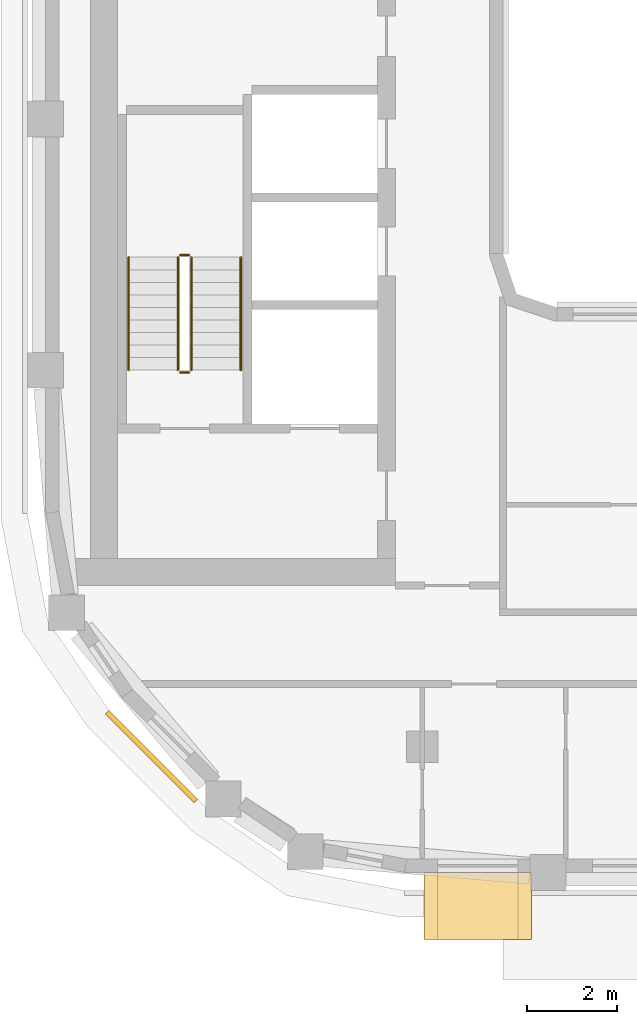
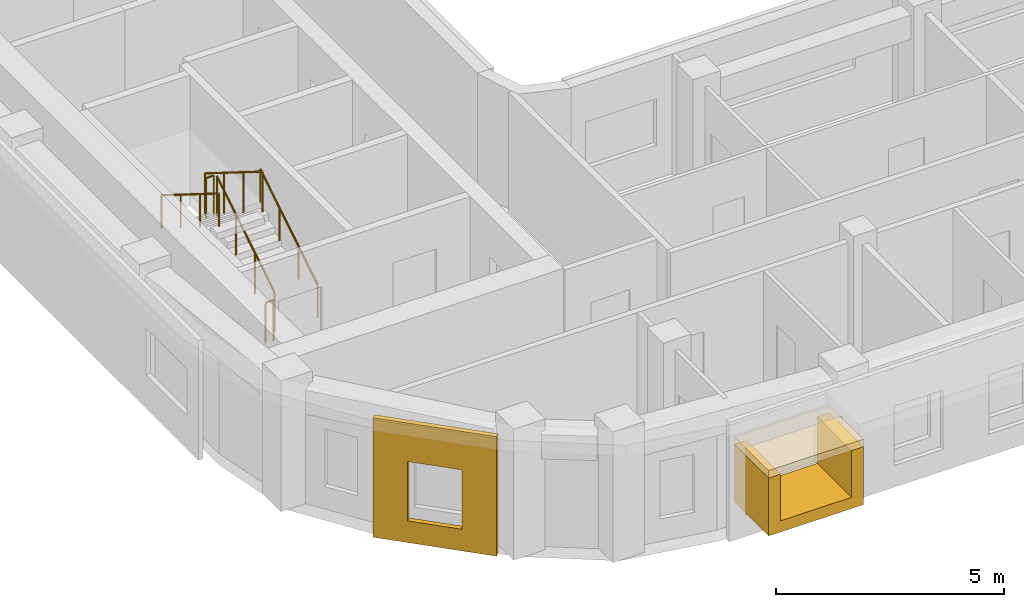
# One storey, part 10 of 16: 6 railings, 3 coverings.
"""IFC4 building model written with IfcOpenShell, lengths in metres."""

from ifc_helpers import new_model, si_unit, direction, frame, origin, origin_2d, place, context, subcontext, project, spatial, polyline, rectangle, circle, outline, extrude, material, layer, layer_set, type_object, element, save


model = new_model("IFC4")

# Units and contexts
model_context = context("Model", 3, precision=1e-05, world=origin(), true_north=direction((0.0, 1.0)))
body_context = subcontext(model_context, "Body", "Model", "MODEL_VIEW")
ifc_project = project(units=[si_unit("LENGTHUNIT", "METRE"), si_unit("AREAUNIT", "SQUARE_METRE"), si_unit("VOLUMEUNIT", "CUBIC_METRE"), si_unit("PLANEANGLEUNIT", "RADIAN"), si_unit("MASSUNIT", "GRAM", prefix="KILO")], contexts=[model_context])

# Site, building, storey
site_placement = place(None, origin())
site = spatial("IfcSite", under=ifc_project, at=site_placement, CompositionType="ELEMENT")
building_placement = place(site_placement, origin())
building = spatial("IfcBuilding", under=site, at=building_placement, Name="Kiln Ring Residences", CompositionType="ELEMENT")
storey_placement = place(building_placement, frame((0.0, 0.0, 255.699951171875)))
storey = spatial("IfcBuildingStorey", under=building, at=storey_placement, Name="L66", CompositionType="ELEMENT", Elevation=255.699951171875)

# Railings
ifc_material_1 = material(Name="Stainless steel", Category="steel")
railing_type_1 = type_object("IfcRailingType", Name="CORE-STAIR-GUARD", PredefinedType="GUARDRAIL", material=ifc_material_1)
railing_1_placement = place(storey_placement, frame((-21.949951171875, -8.39990234375, 0.175048828125)))
element("IfcRailing", 1, at=railing_1_placement, inside=storey, type_object=railing_type_1, Name="L66 W-STS stair guard 1", PredefinedType="GUARDRAIL", context=body_context, shape_type="SweptSolid", body=[
    extrude(circle(Radius=0.02392578125, at=origin_2d()), frame((0.0, 0.0, 1.076171875), z_axis=(0.0, 0.848007534815, 0.529984170421), x_axis=(-1.0, 0.0, 0.0)), (0.0, 0.0, 1.0), 2.9716796875),
    extrude(circle(Radius=0.02099609375, at=origin_2d()), origin(), (0.0, 0.0, 1.0), 1.052001953125),
    extrude(circle(Radius=0.02099609375, at=origin_2d()), frame((0.0, 0.840087890625, 0.52490234375)), (0.0, 0.0, 1.0), 1.052001953125),
    extrude(circle(Radius=0.02099609375, at=origin_2d()), frame((0.0, 1.679931640625, 1.050048828125)), (0.0, 0.0, 1.0), 1.052001953125),
    extrude(circle(Radius=0.02099609375, at=origin_2d()), frame((0.0, 2.52001953125, 1.574951171875)), (0.0, 0.0, 1.0), 1.052001953125),
])
railing_2_placement = place(storey_placement, frame((-22.0, -5.830078125, 1.75)))
element("IfcRailing", 2, at=railing_2_placement, inside=storey, type_object=railing_type_1, Name="L66 W-STS stair guard 2", PredefinedType="GUARDRAIL", context=body_context, shape_type="SweptSolid", body=[
    extrude(circle(Radius=0.02392578125, at=origin_2d()), frame((0.0, 0.0, 1.076171875), z_axis=(-1.0, 0.0, 0.0), x_axis=(0.0, -1.0, 0.0)), (0.0, 0.0, 1.0), 0.199951171875),
    extrude(circle(Radius=0.02099609375, at=origin_2d()), origin(), (0.0, 0.0, 1.0), 1.052001953125),
    extrude(circle(Radius=0.02099609375, at=origin_2d()), frame((-0.199951171875, 0.0, 0.0)), (0.0, 0.0, 1.0), 1.052001953125),
])
railing_3_placement = place(storey_placement, frame((-22.25, -5.8798828125, 1.925048828125)))
element("IfcRailing", 3, at=railing_3_placement, inside=storey, type_object=railing_type_1, Name="L66 W-STS stair guard 3", PredefinedType="GUARDRAIL", context=body_context, shape_type="SweptSolid", body=[
    extrude(circle(Radius=0.02392578125, at=origin_2d()), frame((0.0, 0.0, 1.076171875), z_axis=(0.0, -0.848007534815, 0.529984170421), x_axis=(1.0, 0.0, 0.0)), (0.0, 0.0, 1.0), 2.9716796875),
    extrude(circle(Radius=0.02099609375, at=origin_2d()), origin(), (0.0, 0.0, 1.0), 1.052001953125),
    extrude(circle(Radius=0.02099609375, at=origin_2d()), frame((0.0, -0.840087890625, 0.52490234375)), (0.0, 0.0, 1.0), 1.052001953125),
    extrude(circle(Radius=0.02099609375, at=origin_2d()), frame((0.0, -1.679931640625, 1.050048828125)), (0.0, 0.0, 1.0), 1.052001953125),
    extrude(circle(Radius=0.02099609375, at=origin_2d()), frame((0.0, -2.52001953125, 1.574951171875)), (0.0, 0.0, 1.0), 1.052001953125),
])
railing_4_placement = place(storey_placement, frame((-22.0, -8.449951171875, 0.0)))
element("IfcRailing", 4, at=railing_4_placement, inside=storey, type_object=railing_type_1, Name="L66 W-STS stair guard 4", PredefinedType="GUARDRAIL", context=body_context, shape_type="SweptSolid", body=[
    extrude(circle(Radius=0.02392578125, at=origin_2d()), frame((0.0, 0.0, 1.076171875), z_axis=(-1.0, 0.0, 0.0), x_axis=(0.0, -1.0, 0.0)), (0.0, 0.0, 1.0), 0.199951171875),
    extrude(circle(Radius=0.02099609375, at=origin_2d()), origin(), (0.0, 0.0, 1.0), 1.052001953125),
    extrude(circle(Radius=0.02099609375, at=origin_2d()), frame((-0.199951171875, 0.0, 0.0)), (0.0, 0.0, 1.0), 1.052001953125),
])
ifc_material_2 = material(Name="Stainless steel", Category="steel")
railing_type_2 = type_object("IfcRailingType", Name="CORE-STAIR-HANDRAIL", PredefinedType="HANDRAIL", material=ifc_material_2)
railing_5_placement = place(storey_placement, frame((-20.85009765625, -8.39990234375, 0.175048828125)))
element("IfcRailing", 5, at=railing_5_placement, inside=storey, type_object=railing_type_2, Name="L66 W-STS stair handrail 1", PredefinedType="HANDRAIL", context=body_context, shape_type="SweptSolid", body=[
    extrude(circle(Radius=0.02392578125, at=origin_2d()), frame((0.0, 0.0, 0.8759765625), z_axis=(0.0, 0.848007534815, 0.529984170421), x_axis=(-1.0, 0.0, 0.0)), (0.0, 0.0, 1.0), 2.9716796875),
    extrude(circle(Radius=0.02099609375, at=origin_2d()), origin(), (0.0, 0.0, 1.0), 0.851806640625),
    extrude(circle(Radius=0.02099609375, at=origin_2d()), frame((0.0, 0.840087890625, 0.52490234375)), (0.0, 0.0, 1.0), 0.851806640625),
    extrude(circle(Radius=0.02099609375, at=origin_2d()), frame((0.0, 1.679931640625, 1.050048828125)), (0.0, 0.0, 1.0), 0.851806640625),
    extrude(circle(Radius=0.02099609375, at=origin_2d()), frame((0.0, 2.52001953125, 1.574951171875)), (0.0, 0.0, 1.0), 0.851806640625),
])
railing_6_placement = place(storey_placement, frame((-23.35009765625, -5.8798828125, 1.925048828125)))
element("IfcRailing", 6, at=railing_6_placement, inside=storey, type_object=railing_type_2, Name="L66 W-STS stair handrail 2", PredefinedType="HANDRAIL", context=body_context, shape_type="SweptSolid", body=[
    extrude(circle(Radius=0.02392578125, at=origin_2d()), frame((0.0, 0.0, 0.8759765625), z_axis=(0.0, -0.848007534815, 0.529984170421), x_axis=(1.0, 0.0, 0.0)), (0.0, 0.0, 1.0), 2.9716796875),
    extrude(circle(Radius=0.02099609375, at=origin_2d()), origin(), (0.0, 0.0, 1.0), 0.851806640625),
    extrude(circle(Radius=0.02099609375, at=origin_2d()), frame((0.0, -0.840087890625, 0.52490234375)), (0.0, 0.0, 1.0), 0.851806640625),
    extrude(circle(Radius=0.02099609375, at=origin_2d()), frame((0.0, -1.679931640625, 1.050048828125)), (0.0, 0.0, 1.0), 0.851806640625),
    extrude(circle(Radius=0.02099609375, at=origin_2d()), frame((0.0, -2.52001953125, 1.574951171875)), (0.0, 0.0, 1.0), 0.851806640625),
])

# Coverings
ifc_material_3 = material(Name="Brick masonry, dark clay brick", Category="masonry")
ifc_layer_1 = layer(ifc_material_3, 0.300048828125)
ifc_layer_set_1 = layer_set([ifc_layer_1], Name="FRAME CHEEKS AND SILL 1500")
covering_type_1 = type_object("IfcCoveringType", Name="FRAME CHEEKS AND SILL 1500", PredefinedType="CLADDING", material=ifc_layer_set_1)
covering_1_placement = place(storey_placement, frame((-16.762451171875, -20.35009765625, 0.60009765625), z_axis=(0.0, 0.0, 1.0), x_axis=(1.0, 0.0, 0.0)))
element("IfcCovering", 7, at=covering_1_placement, inside=storey, type_object=covering_type_1, Name="FRAME L66", PredefinedType="CLADDING", context=body_context, shape_type="SweptSolid", body=[
    extrude(outline(polyline([(0.0, 0.0), (2.39990234375, 0.0), (2.39990234375, 1.550048828125), (2.10107421875, 1.550048828125), (2.10009765625, 0.300048828125), (0.300048828125, 0.300048828125), (0.299072265625, 1.550048828125), (0.0, 1.550048828125), (0.0, 0.0)])), frame((0.0, 0.75, 0.0), z_axis=(0.0, -1.0, 0.0), x_axis=(1.0, 0.0, 0.0)), (0.0, 0.0, 1.0), 1.5),
])
ifc_material_4 = material(Name="Brick masonry, dark clay brick", Category="masonry")
ifc_layer_2 = layer(ifc_material_4, 0.199951171875)
ifc_layer_set_2 = layer_set([ifc_layer_2], Name="FRAME HEAD 1500")
covering_type_2 = type_object("IfcCoveringType", Name="FRAME HEAD 1500", PredefinedType="CLADDING", material=ifc_layer_set_2)
covering_2_placement = place(storey_placement, frame((-15.5625, -20.35009765625, 2.14990234375), z_axis=(0.0, 0.0, 1.0), x_axis=(1.0, 0.0, 0.0)))
element("IfcCovering", 8, at=covering_2_placement, inside=storey, type_object=covering_type_2, Name="FRAME HEAD L66", PredefinedType="CLADDING", context=body_context, shape_type="SweptSolid", body=[
    extrude(rectangle(XDim=2.39990234375, YDim=1.5, at=origin_2d()), origin(), (0.0, 0.0, 1.0), 0.199951171875),
])
ifc_material_5 = material(Name="Brick masonry, dark clay brick", Category="masonry")
ifc_layer_3 = layer(ifc_material_5, 0.1201171875)
ifc_layer_set_3 = layer_set([ifc_layer_3], Name="RAINSCREEN PANEL 120")
covering_type_3 = type_object("IfcCoveringType", Name="RAINSCREEN PANEL 120", PredefinedType="CLADDING", material=ifc_layer_set_3)
covering_3_placement = place(storey_placement, frame((-23.828125, -16.022216796875, 0.0), z_axis=(0.0, 0.0, 1.0), x_axis=(0.707063182409, -0.707150377276, 0.0)))
element("IfcCovering", 9, at=covering_3_placement, inside=storey, type_object=covering_type_3, Name="RAINSCREEN L66", PredefinedType="CLADDING", context=body_context, shape_type="SweptSolid", body=[
    extrude(outline(polyline([(0.0, 0.0), (2.800048828125, 0.0), (2.800048828125, 3.199951171875), (0.0, 3.199951171875), (0.0, 0.0)]), holes=[polyline([(0.780029296875, 2.170166015625), (0.780029296875, 0.580078125), (2.02001953125, 0.580078125), (2.02001953125, 2.170166015625), (0.780029296875, 2.170166015625)])]), frame((0.0, 0.06005859375, 0.0), z_axis=(0.0, -1.0, 0.0), x_axis=(1.0, 0.0, 0.0)), (0.0, 0.0, 1.0), 0.1201171875),
])

save(model, "model.ifc")
